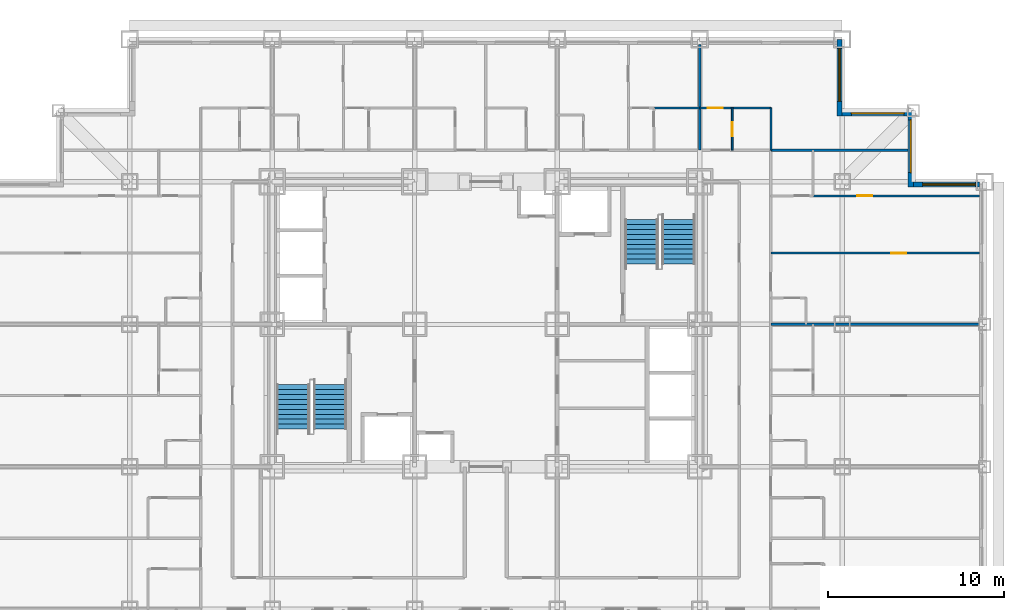
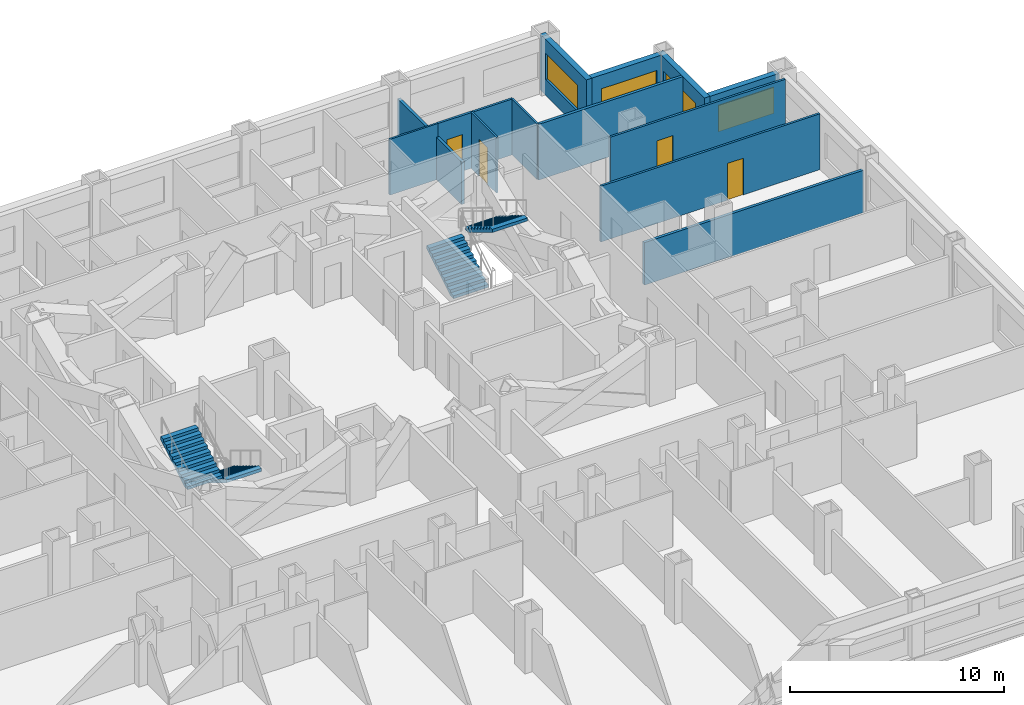
# One storey, part 10 of 11: 13 walls, 4 doors, 4 stair flights, 4 windows, 8 openings, 2 elements without a shape of their own.
"""IFC4 building model written with IfcOpenShell, lengths in metres."""

from ifc_helpers import new_model, si_unit, direction, frame, frame_2d, origin, place, context, subcontext, project, spatial, rectangle, extrude, polygons, source, transform, mapped, material, layer, layer_set, type_object, element, fill, aggregate, save


model = new_model("IFC4")

# Units and contexts
model_context = context("Model", 3, precision=1e-05, world=origin(), true_north=direction((0.0, 1.0)))
body_context = subcontext(model_context, "Body", "Model", "MODEL_VIEW")
ifc_project = project(units=[si_unit("LENGTHUNIT", "METRE"), si_unit("AREAUNIT", "SQUARE_METRE"), si_unit("VOLUMEUNIT", "CUBIC_METRE"), si_unit("PLANEANGLEUNIT", "RADIAN"), si_unit("MASSUNIT", "GRAM", prefix="KILO")], contexts=[model_context])

# Site, building, storey
site_placement = place(None, origin())
site = spatial("IfcSite", under=ifc_project, at=site_placement, CompositionType="ELEMENT")
building_placement = place(site_placement, origin())
building = spatial("IfcBuilding", under=site, at=building_placement, Name="Kopane Lantern Tower", CompositionType="ELEMENT")
storey_placement = place(building_placement, frame((0.0, 0.0, 84.0)))
storey = spatial("IfcBuildingStorey", under=building, at=storey_placement, Name="L21", CompositionType="ELEMENT", Elevation=84.0)

# Wall, opening, door
ifc_material_1 = material(Name="Gypsum board on steel studs", Category="steel")
ifc_layer_1 = layer(ifc_material_1, 0.1201171875)
ifc_layer_set_1 = layer_set([ifc_layer_1], Name="APARTMENT INTERNAL WALL 120")
wall_type_1 = type_object("IfcWallType", Name="APARTMENT INTERNAL WALL 120", PredefinedType="PARTITIONING", material=ifc_layer_set_1)
wall_1_placement = place(storey_placement, frame((44.550048828125, 36.449951171875, 0.0), z_axis=(0.0, 0.0, 1.0), x_axis=(1.0, 0.0, 0.0)))
wall_1 = element("IfcWall", 1, at=wall_1_placement, inside=storey, type_object=wall_type_1, Name="Apartment Internal Wall 120 L21", PredefinedType="PARTITIONING", context=body_context, shape_type="SweptSolid", body=[
    extrude(rectangle(XDim=11.849853515625, YDim=0.1201171875, at=frame_2d((5.9248046875, 0.0))), origin(), (0.0, 0.0, 1.0), 3.18994140625),
])
opening_1_placement = place(wall_1_placement, frame((6.85009765625, 0.0, 0.0)))
opening_1 = element("IfcOpeningElement", 2, at=opening_1_placement, cuts=wall_1, Name="Opening L21-056", PredefinedType="OPENING", context=body_context, shape_type="SweptSolid", body=[
    extrude(rectangle(XDim=0.85009765625, YDim=2.10009765625, at=frame_2d((0.425048828125, 1.050048828125))), frame((0.0, 0.070068359375, 0.0), z_axis=(0.0, -1.0, 0.0), x_axis=(1.0, 0.0, 0.0)), (0.0, 0.0, 1.0), 0.14013671875),
])
ifc_material_2 = material(Name="Timber door set", Category="wood")
door_type_1 = type_object("IfcDoorType", Name="DOOR D4 850x2100", OperationType="SINGLE_SWING_LEFT", PredefinedType="DOOR", material=ifc_material_2)
door_1_placement = place(opening_1_placement, origin())
door_1 = element("IfcDoor", 3, at=door_1_placement, inside=storey, type_object=door_type_1, Name="Door L21-056", OperationType="SINGLE_SWING_LEFT", OverallHeight=2.10009765625, OverallWidth=0.85009765625, PredefinedType="DOOR", context=body_context, shape_type="SweptSolid", body=[
    extrude(rectangle(XDim=0.85009765625, YDim=2.10009765625, at=frame_2d((0.425048828125, 1.050048828125))), frame((0.0, 0.02490234375, 0.0), z_axis=(0.0, -1.0, 0.0), x_axis=(1.0, 0.0, 0.0)), (0.0, 0.0, 1.0), 0.050048828125),
])
fill(opening_1, door_1)

wall_2_placement = place(storey_placement, frame((40.5, 44.699951171875, 0.0), z_axis=(0.0, 0.0, 1.0), x_axis=(1.0, 0.0, 0.0)))
wall_2 = element("IfcWall", 4, at=wall_2_placement, inside=storey, type_object=wall_type_1, Name="Apartment Internal Wall 120 L21", PredefinedType="PARTITIONING", context=body_context, shape_type="SweptSolid", body=[
    extrude(rectangle(XDim=4.050048828125, YDim=0.1201171875, at=frame_2d((2.02490234375, 0.0))), origin(), (0.0, 0.0, 1.0), 3.18994140625),
])
opening_2_placement = place(wall_2_placement, frame((0.47509765625, 0.0, 0.0)))
opening_2 = element("IfcOpeningElement", 5, at=opening_2_placement, cuts=wall_2, Name="Opening L21-067", PredefinedType="OPENING", context=body_context, shape_type="SweptSolid", body=[
    extrude(rectangle(XDim=0.85009765625, YDim=2.10009765625, at=frame_2d((0.425048828125, 1.050048828125))), frame((0.0, 0.070068359375, 0.0), z_axis=(0.0, -1.0, 0.0), x_axis=(1.0, 0.0, 0.0)), (0.0, 0.0, 1.0), 0.14013671875),
])
door_2_placement = place(opening_2_placement, origin())
door_2 = element("IfcDoor", 6, at=door_2_placement, inside=storey, type_object=door_type_1, Name="Door L21-067", OperationType="SINGLE_SWING_LEFT", OverallHeight=2.10009765625, OverallWidth=0.85009765625, PredefinedType="DOOR", context=body_context, shape_type="SweptSolid", body=[
    extrude(rectangle(XDim=0.85009765625, YDim=2.10009765625, at=frame_2d((0.425048828125, 1.050048828125))), frame((0.0, 0.02490234375, 0.0), z_axis=(0.0, -1.0, 0.0), x_axis=(1.0, 0.0, 0.0)), (0.0, 0.0, 1.0), 0.050048828125),
])
fill(opening_2, door_2)

wall_3_placement = place(storey_placement, frame((56.39990234375, 39.699951171875, 0.0), z_axis=(0.0, 0.0, 1.0), x_axis=(-1.0, 0.0, 0.0)))
wall_3 = element("IfcWall", 7, at=wall_3_placement, inside=storey, type_object=wall_type_1, Name="Apartment Internal Wall 120 L21", PredefinedType="PARTITIONING", context=body_context, shape_type="SweptSolid", body=[
    extrude(rectangle(XDim=9.4599609375, YDim=0.1201171875, at=frame_2d((4.72998046875, 0.0))), origin(), (0.0, 0.0, 1.0), 3.18994140625),
])
opening_3_placement = place(wall_3_placement, frame((6.0849609375, 0.0, 0.0)))
opening_3 = element("IfcOpeningElement", 8, at=opening_3_placement, cuts=wall_3, Name="Opening L21-076", PredefinedType="OPENING", context=body_context, shape_type="SweptSolid", body=[
    extrude(rectangle(XDim=0.85009765625, YDim=2.10009765625, at=frame_2d((0.425048828125, 1.050048828125))), frame((0.0, 0.070068359375, 0.0), z_axis=(0.0, -1.0, 0.0), x_axis=(1.0, 0.0, 0.0)), (0.0, 0.0, 1.0), 0.14013671875),
])
door_3_placement = place(opening_3_placement, origin())
door_3 = element("IfcDoor", 9, at=door_3_placement, inside=storey, type_object=door_type_1, Name="Door L21-076", OperationType="SINGLE_SWING_LEFT", OverallHeight=2.10009765625, OverallWidth=0.85009765625, PredefinedType="DOOR", context=body_context, shape_type="SweptSolid", body=[
    extrude(rectangle(XDim=0.85009765625, YDim=2.10009765625, at=frame_2d((0.425048828125, 1.050048828125))), frame((0.0, 0.02490234375, 0.0), z_axis=(0.0, -1.0, 0.0), x_axis=(1.0, 0.0, 0.0)), (0.0, 0.0, 1.0), 0.050048828125),
])
fill(opening_3, door_3)

# Wall
ifc_material_3 = material(Name="Moisture-resistant board on steel studs", Category="steel")
ifc_layer_2 = layer(ifc_material_3, 0.10009765625)
ifc_layer_set_2 = layer_set([ifc_layer_2], Name="BATHROOM WALL 100")
wall_type_2 = type_object("IfcWallType", Name="BATHROOM WALL 100", PredefinedType="PARTITIONING", material=ifc_layer_set_2)
wall_4_placement = place(storey_placement, frame((37.89990234375, 44.699951171875, 0.0), z_axis=(0.0, 0.0, 1.0), x_axis=(1.0, 0.0, 0.0)))
element("IfcWall", 10, at=wall_4_placement, inside=storey, type_object=wall_type_2, Name="Bathroom Wall 100 L21", PredefinedType="PARTITIONING", context=body_context, shape_type="SweptSolid", body=[
    extrude(rectangle(XDim=2.60009765625, YDim=0.10009765625, at=frame_2d((1.300048828125, 0.0))), origin(), (0.0, 0.0, 1.0), 3.18994140625),
])

# Wall, opening, door
wall_5_placement = place(storey_placement, frame((42.35009765625, 42.300048828125, 0.0), z_axis=(0.0, 0.0, 1.0), x_axis=(0.0, 1.0, 0.0)))
wall_5 = element("IfcWall", 11, at=wall_5_placement, inside=storey, type_object=wall_type_2, Name="Bathroom Wall 100 L21", PredefinedType="PARTITIONING", context=body_context, shape_type="SweptSolid", body=[
    extrude(rectangle(XDim=2.39990234375, YDim=0.10009765625, at=frame_2d((1.199951171875, 0.0))), origin(), (0.0, 0.0, 1.0), 3.18994140625),
])
opening_4_placement = place(wall_5_placement, frame((0.800048828125, 0.0, 0.0)))
opening_4 = element("IfcOpeningElement", 12, at=opening_4_placement, cuts=wall_5, Name="Opening L21-065", PredefinedType="OPENING", context=body_context, shape_type="SweptSolid", body=[
    extrude(rectangle(XDim=0.800048828125, YDim=2.10009765625, at=frame_2d((0.39990234375, 1.050048828125))), frame((0.0, 0.06005859375, 0.0), z_axis=(0.0, -1.0, 0.0), x_axis=(1.0, 0.0, 0.0)), (0.0, 0.0, 1.0), 0.1201171875),
])
ifc_material_4 = material(Name="Timber door set", Category="wood")
door_type_2 = type_object("IfcDoorType", Name="DOOR D2 800x2100", OperationType="SINGLE_SWING_LEFT", PredefinedType="DOOR", material=ifc_material_4)
door_4_placement = place(opening_4_placement, origin())
door_4 = element("IfcDoor", 13, at=door_4_placement, inside=storey, type_object=door_type_2, Name="Door L21-065", OperationType="SINGLE_SWING_RIGHT", OverallHeight=2.10009765625, OverallWidth=0.800048828125, PredefinedType="DOOR", context=body_context, shape_type="SweptSolid", body=[
    extrude(rectangle(XDim=0.800048828125, YDim=2.10009765625, at=frame_2d((0.39990234375, 1.050048828125))), frame((0.0, 0.02490234375, 0.0), z_axis=(0.0, -1.0, 0.0), x_axis=(1.0, 0.0, 0.0)), (0.0, 0.0, 1.0), 0.050048828125),
])
fill(opening_4, door_4)

# Walls
wall_6_placement = place(storey_placement, frame((44.550048828125, 42.300048828125, 0.0), z_axis=(0.0, 0.0, 1.0), x_axis=(0.0, 1.0, 0.0)))
element("IfcWall", 14, at=wall_6_placement, inside=storey, type_object=wall_type_2, Name="Bathroom Wall 100 L21", PredefinedType="PARTITIONING", context=body_context, shape_type="SweptSolid", body=[
    extrude(rectangle(XDim=2.39990234375, YDim=0.10009765625, at=frame_2d((1.199951171875, 0.0))), origin(), (0.0, 0.0, 1.0), 3.18994140625),
])
ifc_material_5 = material(Name="Gypsum board on steel studs", Category="steel")
ifc_layer_3 = layer(ifc_material_5, 0.14990234375)
ifc_layer_set_3 = layer_set([ifc_layer_3], Name="DEMISING WALL 150 EI 60")
wall_type_3 = type_object("IfcWallType", Name="DEMISING WALL 150 EI 60", PredefinedType="PARTITIONING", material=ifc_layer_set_3)
wall_7_placement = place(storey_placement, frame((44.550048828125, 32.39990234375, 0.0), z_axis=(0.0, 0.0, 1.0), x_axis=(1.0, 0.0, 0.0)))
element("IfcWall", 15, at=wall_7_placement, inside=storey, type_object=wall_type_3, Name="Demising Wall 150 Ei 60 L21", PredefinedType="PARTITIONING", context=body_context, shape_type="SweptSolid", body=[
    extrude(rectangle(XDim=11.849853515625, YDim=0.14990234375, at=frame_2d((5.9248046875, 0.0))), origin(), (0.0, 0.0, 1.0), 2.427734375),
])
wall_8_placement = place(storey_placement, frame((44.550048828125, 42.300048828125, 0.0), z_axis=(0.0, 0.0, 1.0), x_axis=(1.0, 0.0, 0.0)))
element("IfcWall", 16, at=wall_8_placement, inside=storey, type_object=wall_type_3, Name="Demising Wall 150 Ei 60 L21", PredefinedType="PARTITIONING", context=body_context, shape_type="SweptSolid", body=[
    extrude(rectangle(XDim=7.800048828125, YDim=0.14990234375, at=frame_2d((3.89990234375, 0.0))), origin(), (0.0, 0.0, 1.0), 3.18994140625),
])
wall_9_placement = place(storey_placement, frame((40.5, 42.300048828125, 0.0), z_axis=(0.0, 0.0, 1.0), x_axis=(0.0, 1.0, 0.0)))
element("IfcWall", 17, at=wall_9_placement, inside=storey, type_object=wall_type_3, Name="Demising Wall 150 Ei 60 L21", PredefinedType="PARTITIONING", context=body_context, shape_type="SweptSolid", body=[
    extrude(rectangle(XDim=6.0, YDim=0.14990234375, at=frame_2d((3.0, 0.0))), origin(), (0.0, 0.0, 1.0), 2.427734375),
])

# Wall, opening, window
ifc_material_6 = material(Name="Terracotta rainscreen on light steel framing", Category="masonry")
ifc_layer_4 = layer(ifc_material_6, 0.300048828125)
ifc_layer_set_4 = layer_set([ifc_layer_4], Name="EXTERNAL WALL EW1 300 TERRACOTTA")
wall_type_4 = type_object("IfcWallType", Name="EXTERNAL WALL EW1 300 TERRACOTTA", PredefinedType="SOLIDWALL", material=ifc_layer_set_4)
wall_10_placement = place(storey_placement, frame((56.39990234375, 40.35009765625, 0.0), z_axis=(0.0, 0.0, 1.0), x_axis=(-1.0, 0.0, 0.0)))
wall_10 = element("IfcWall", 18, at=wall_10_placement, inside=storey, type_object=wall_type_4, Name="External wall N L21", PredefinedType="SOLIDWALL", context=body_context, shape_type="SweptSolid", body=[
    extrude(rectangle(XDim=3.75, YDim=0.300048828125, at=frame_2d((1.875, 0.0))), origin(), (0.0, 0.0, 1.0), 3.18994140625),
])
opening_5_placement = place(wall_10_placement, frame((0.22509765625, 0.0, 0.89990234375)))
opening_5 = element("IfcOpeningElement", 19, at=opening_5_placement, cuts=wall_10, Name="Opening WR300150", PredefinedType="OPENING", context=body_context, shape_type="SweptSolid", body=[
    extrude(rectangle(XDim=3.0, YDim=1.5, at=frame_2d((1.5, 0.75))), frame((0.0, 0.159912109375, 0.0), z_axis=(0.0, -1.0, 0.0), x_axis=(1.0, 0.0, 0.0)), (0.0, 0.0, 1.0), 0.320068359375),
])
ifc_material_7 = material(Name="Aluminium and clear glass", Category="aluminium")
window_type = type_object("IfcWindowType", Name="RIBBON WINDOW WR300150 3000x1500", PartitioningType="SINGLE_PANEL", PredefinedType="WINDOW", material=ifc_material_7)
window_1_placement = place(opening_5_placement, origin())
window_1 = element("IfcWindow", 20, at=window_1_placement, inside=storey, type_object=window_type, Name="Window N L21", OverallHeight=1.5, OverallWidth=3.0, PartitioningType="SINGLE_PANEL", PredefinedType="WINDOW", context=body_context, shape_type="SweptSolid", body=[
    extrude(rectangle(XDim=3.0, YDim=1.5, at=frame_2d((1.5, 0.75))), frame((0.0, 0.030029296875, 0.0), z_axis=(0.0, -1.0, 0.0), x_axis=(1.0, 0.0, 0.0)), (0.0, 0.0, 1.0), 0.06005859375),
])
fill(opening_5, window_1)

wall_11_placement = place(storey_placement, frame((52.5, 40.199951171875, 0.0), z_axis=(0.0, 0.0, 1.0), x_axis=(0.0, 1.0, 0.0)))
wall_11 = element("IfcWall", 21, at=wall_11_placement, inside=storey, type_object=wall_type_4, Name="External wall E L21", PredefinedType="SOLIDWALL", context=body_context, shape_type="SweptSolid", body=[
    extrude(rectangle(XDim=4.35009765625, YDim=0.300048828125, at=frame_2d((2.175048828125, 0.0))), origin(), (0.0, 0.0, 1.0), 3.18994140625),
])
opening_6_placement = place(wall_11_placement, frame((0.824951171875, 0.0, 0.89990234375)))
opening_6 = element("IfcOpeningElement", 22, at=opening_6_placement, cuts=wall_11, Name="Opening WR300150", PredefinedType="OPENING", context=body_context, shape_type="SweptSolid", body=[
    extrude(rectangle(XDim=3.0, YDim=1.5, at=frame_2d((1.5, 0.75))), frame((0.0, 0.159912109375, 0.0), z_axis=(0.0, -1.0, 0.0), x_axis=(1.0, 0.0, 0.0)), (0.0, 0.0, 1.0), 0.320068359375),
])
window_2_placement = place(opening_6_placement, origin())
window_2 = element("IfcWindow", 23, at=window_2_placement, inside=storey, type_object=window_type, Name="Window E L21", OverallHeight=1.5, OverallWidth=3.0, PartitioningType="SINGLE_PANEL", PredefinedType="WINDOW", context=body_context, shape_type="SweptSolid", body=[
    extrude(rectangle(XDim=3.0, YDim=1.5, at=frame_2d((1.5, 0.75))), frame((0.0, 0.030029296875, 0.0), z_axis=(0.0, -1.0, 0.0), x_axis=(1.0, 0.0, 0.0)), (0.0, 0.0, 1.0), 0.06005859375),
])
fill(opening_6, window_2)

wall_12_placement = place(storey_placement, frame((52.35009765625, 44.39990234375, 0.0), z_axis=(0.0, 0.0, 1.0), x_axis=(-1.0, 0.0, 0.0)))
wall_12 = element("IfcWall", 24, at=wall_12_placement, inside=storey, type_object=wall_type_4, Name="External wall N L21", PredefinedType="SOLIDWALL", context=body_context, shape_type="SweptSolid", body=[
    extrude(rectangle(XDim=3.75, YDim=0.300048828125, at=frame_2d((1.875, 0.0))), origin(), (0.0, 0.0, 1.0), 3.18994140625),
])
opening_7_placement = place(wall_12_placement, frame((0.22509765625, 0.0, 0.89990234375)))
opening_7 = element("IfcOpeningElement", 25, at=opening_7_placement, cuts=wall_12, Name="Opening WR300150", PredefinedType="OPENING", context=body_context, shape_type="SweptSolid", body=[
    extrude(rectangle(XDim=3.0, YDim=1.5, at=frame_2d((1.5, 0.75))), frame((0.0, 0.159912109375, 0.0), z_axis=(0.0, -1.0, 0.0), x_axis=(1.0, 0.0, 0.0)), (0.0, 0.0, 1.0), 0.320068359375),
])
window_3_placement = place(opening_7_placement, origin())
window_3 = element("IfcWindow", 26, at=window_3_placement, inside=storey, type_object=window_type, Name="Window N L21", OverallHeight=1.5, OverallWidth=3.0, PartitioningType="SINGLE_PANEL", PredefinedType="WINDOW", context=body_context, shape_type="SweptSolid", body=[
    extrude(rectangle(XDim=3.0, YDim=1.5, at=frame_2d((1.5, 0.75))), frame((0.0, 0.030029296875, 0.0), z_axis=(0.0, -1.0, 0.0), x_axis=(1.0, 0.0, 0.0)), (0.0, 0.0, 1.0), 0.06005859375),
])
fill(opening_7, window_3)

wall_13_placement = place(storey_placement, frame((48.449951171875, 44.25, 0.0), z_axis=(0.0, 0.0, 1.0), x_axis=(0.0, 1.0, 0.0)))
wall_13 = element("IfcWall", 27, at=wall_13_placement, inside=storey, type_object=wall_type_4, Name="External wall E L21", PredefinedType="SOLIDWALL", context=body_context, shape_type="SweptSolid", body=[
    extrude(rectangle(XDim=4.35009765625, YDim=0.300048828125, at=frame_2d((2.175048828125, 0.0))), origin(), (0.0, 0.0, 1.0), 3.18994140625),
])
opening_8_placement = place(wall_13_placement, frame((0.824951171875, 0.0, 0.89990234375)))
opening_8 = element("IfcOpeningElement", 28, at=opening_8_placement, cuts=wall_13, Name="Opening WR300150", PredefinedType="OPENING", context=body_context, shape_type="SweptSolid", body=[
    extrude(rectangle(XDim=3.0, YDim=1.5, at=frame_2d((1.5, 0.75))), frame((0.0, 0.159912109375, 0.0), z_axis=(0.0, -1.0, 0.0), x_axis=(1.0, 0.0, 0.0)), (0.0, 0.0, 1.0), 0.320068359375),
])
window_4_placement = place(opening_8_placement, origin())
window_4 = element("IfcWindow", 29, at=window_4_placement, inside=storey, type_object=window_type, Name="Window E L21", OverallHeight=1.5, OverallWidth=3.0, PartitioningType="SINGLE_PANEL", PredefinedType="WINDOW", context=body_context, shape_type="SweptSolid", body=[
    extrude(rectangle(XDim=3.0, YDim=1.5, at=frame_2d((1.5, 0.75))), frame((0.0, 0.030029296875, 0.0), z_axis=(0.0, -1.0, 0.0), x_axis=(1.0, 0.0, 0.0)), (0.0, 0.0, 1.0), 0.06005859375),
])
fill(opening_8, window_4)

# Stair, stair flights
ifc_material_8 = material(Name="Steel S355JR", Category="steel")
stair_type = type_object("IfcStairType", Name="EXIT STAIR 1900 HALF TURN", PredefinedType="HALF_TURN_STAIR", material=ifc_material_8)
stair_1_placement = place(storey_placement, origin())
stair_1 = element("IfcStair", 30, at=stair_1_placement, inside=storey, type_object=stair_type, Name="Exit stair ST1 L21", PredefinedType="HALF_TURN_STAIR")
ifc_material_9 = material(Name="Steel S355JR", Category="steel")
stair_flight_type = type_object("IfcStairFlightType", Name="STAIR FLIGHT 1900 STEEL", PredefinedType="STRAIGHT", material=ifc_material_9)
shared_shape = source(origin(), body_context, "Body", "Tessellation", [
    polygons([(2.520019531, 0.949951172, 1.530029297), (2.239990234, 0.949951172, 1.530029297), (2.239990234, -0.949951172, 1.530029297), (2.520019531, -0.949951172, 1.530029297), (0.288818359, 0.949951172, 0.0), (2.520019531, 0.949951172, 1.354736328), (2.520019531, -0.949951172, 1.354736328), (0.288818359, -0.949951172, 0.0), (0.0, 0.949951172, 0.0), (0.0, -0.949951172, 0.0), (0.280029297, 0.949951172, 0.169921875), (0.0, 0.949951172, 0.169921875), (0.0, -0.949951172, 0.169921875), (0.280029297, -0.949951172, 0.169921875), (0.280029297, 0.949951172, 0.340087891), (0.280029297, -0.949951172, 0.340087891), (0.560058594, 0.949951172, 0.340087891), (0.560058594, -0.949951172, 0.340087891), (0.560058594, 0.949951172, 0.510009766), (0.560058594, -0.949951172, 0.510009766), (0.840087891, 0.949951172, 0.510009766), (0.840087891, -0.949951172, 0.510009766), (0.840087891, 0.949951172, 0.679931641), (0.840087891, -0.949951172, 0.679931641), (1.120117188, 0.949951172, 0.679931641), (1.120117188, -0.949951172, 0.679931641), (1.120117188, 0.949951172, 0.850097656), (1.120117188, -0.949951172, 0.850097656), (1.399902344, 0.949951172, 0.850097656), (1.399902344, -0.949951172, 0.850097656), (1.399902344, 0.949951172, 1.020019531), (1.399902344, -0.949951172, 1.020019531), (1.679931641, 0.949951172, 1.020019531), (1.679931641, -0.949951172, 1.020019531), (1.679931641, 0.949951172, 1.189941406), (1.679931641, -0.949951172, 1.189941406), (1.959960938, 0.949951172, 1.189941406), (1.959960938, -0.949951172, 1.189941406), (1.959960938, 0.949951172, 1.360107422), (1.959960938, -0.949951172, 1.360107422), (2.239990234, 0.949951172, 1.360107422), (2.239990234, -0.949951172, 1.360107422), (0.0, 0.0, 0.004592483), (0.0, 0.0, 0.009184966), (0.0, 0.0, 0.013777449), (0.0, 0.0, 0.018369932), (0.0, 0.0, 0.022962416), (0.0, 0.0, 0.027554899), (0.0, 0.0, 0.032147382), (0.0, 0.0, 0.036739865), (0.0, 0.0, 0.041332348), (0.0, 0.0, 0.045924831), (0.0, 0.0, 0.050517314), (0.0, 0.0, 0.055109797), (0.0, 0.0, 0.05970228), (0.0, 0.0, 0.064294764), (0.0, 0.0, 0.068887247), (0.0, 0.0, 0.07347973), (0.0, 0.0, 0.078072213), (0.0, 0.0, 0.082664696), (0.0, 0.0, 0.087257179), (0.0, 0.0, 0.091849662), (0.0, 0.0, 0.096442145), (0.0, 0.0, 0.101034628), (0.0, 0.0, 0.105627111), (0.0, 0.0, 0.110219595), (0.0, 0.0, 0.114812078), (0.0, 0.0, 0.119404561), (0.0, 0.0, 0.123997044), (0.0, 0.0, 0.128589527), (0.0, 0.0, 0.13318201), (0.0, 0.0, 0.137774493), (0.0, 0.0, 0.142366976), (0.0, 0.0, 0.146959459), (0.0, 0.0, 0.151551943), (0.0, 0.0, 0.156144426), (0.0, 0.0, 0.160736909), (0.0, 0.0, 0.165329392), (2.520019531, 0.0, 1.359473976), (2.520019531, 0.0, 1.364211624), (2.520019531, 0.0, 1.368949272), (2.520019531, 0.0, 1.373686919), (2.520019531, 0.0, 1.378424567), (2.520019531, 0.0, 1.383162215), (2.520019531, 0.0, 1.387899863), (2.520019531, 0.0, 1.392637511), (2.520019531, 0.0, 1.397375158), (2.520019531, 0.0, 1.402112806), (2.520019531, 0.0, 1.406850454), (2.520019531, 0.0, 1.411588102), (2.520019531, 0.0, 1.41632575), (2.520019531, 0.0, 1.421063397), (2.520019531, 0.0, 1.425801045), (2.520019531, 0.0, 1.430538693), (2.520019531, 0.0, 1.435276341), (2.520019531, 0.0, 1.440013989), (2.520019531, 0.0, 1.444751636), (2.520019531, 0.0, 1.449489284), (2.520019531, 0.0, 1.454226932), (2.520019531, 0.0, 1.45896458), (2.520019531, 0.0, 1.463702228), (2.520019531, 0.0, 1.468439875), (2.520019531, 0.0, 1.473177523), (2.520019531, 0.0, 1.477915171), (2.520019531, 0.0, 1.482652819), (2.520019531, 0.0, 1.487390467), (2.520019531, 0.0, 1.492128114), (2.520019531, 0.0, 1.496865762), (2.520019531, 0.0, 1.50160341), (2.520019531, 0.0, 1.506341058), (2.520019531, 0.0, 1.511078706), (2.520019531, 0.0, 1.515816353), (2.520019531, 0.0, 1.520554001), (2.520019531, 0.0, 1.525291649)], [[[1, 2, 3]], [[1, 3, 4]], [[5, 6, 7]], [[5, 7, 8]], [[9, 5, 8]], [[9, 8, 10]], [[11, 12, 13]], [[11, 13, 14]], [[15, 11, 14]], [[15, 14, 16]], [[17, 15, 16]], [[17, 16, 18]], [[19, 17, 18]], [[19, 18, 20]], [[21, 19, 20]], [[21, 20, 22]], [[23, 21, 22]], [[23, 22, 24]], [[25, 23, 24]], [[25, 24, 26]], [[27, 25, 26]], [[27, 26, 28]], [[29, 27, 28]], [[29, 28, 30]], [[31, 29, 30]], [[31, 30, 32]], [[33, 31, 32]], [[33, 32, 34]], [[35, 33, 34]], [[35, 34, 36]], [[37, 35, 36]], [[37, 36, 38]], [[39, 37, 38]], [[39, 38, 40]], [[41, 39, 40]], [[41, 40, 42]], [[2, 41, 42]], [[2, 42, 3]], [[41, 1, 6]], [[37, 41, 6]], [[2, 1, 41]], [[33, 37, 6]], [[39, 41, 37]], [[35, 37, 33]], [[31, 33, 29]], [[5, 21, 25]], [[27, 29, 25]], [[17, 21, 5]], [[23, 25, 21]], [[11, 17, 5]], [[19, 21, 17]], [[9, 11, 5]], [[15, 17, 11]], [[12, 11, 9]], [[6, 5, 25]], [[6, 25, 29]], [[6, 29, 33]], [[7, 4, 42]], [[7, 42, 38]], [[42, 4, 3]], [[7, 38, 34]], [[38, 42, 40]], [[34, 38, 36]], [[30, 34, 32]], [[26, 22, 8]], [[26, 30, 28]], [[8, 22, 18]], [[22, 26, 24]], [[8, 18, 14]], [[18, 22, 20]], [[8, 14, 10]], [[14, 18, 16]], [[10, 14, 13]], [[26, 8, 7]], [[30, 26, 7]], [[34, 30, 7]], [[10, 43, 9]], [[10, 44, 43]], [[9, 43, 44]], [[10, 45, 44]], [[9, 44, 45]], [[10, 46, 45]], [[9, 45, 46]], [[10, 47, 46]], [[9, 46, 47]], [[10, 48, 47]], [[9, 47, 48]], [[10, 49, 48]], [[9, 48, 49]], [[10, 50, 49]], [[9, 49, 50]], [[10, 51, 50]], [[9, 50, 51]], [[10, 52, 51]], [[9, 51, 52]], [[10, 53, 52]], [[9, 52, 53]], [[10, 54, 53]], [[9, 53, 54]], [[10, 55, 54]], [[9, 54, 55]], [[10, 56, 55]], [[9, 55, 56]], [[10, 57, 56]], [[9, 56, 57]], [[10, 58, 57]], [[9, 57, 58]], [[10, 59, 58]], [[9, 58, 59]], [[10, 60, 59]], [[9, 59, 60]], [[10, 61, 60]], [[9, 60, 61]], [[10, 62, 61]], [[9, 61, 62]], [[10, 63, 62]], [[9, 62, 63]], [[10, 64, 63]], [[9, 63, 64]], [[10, 65, 64]], [[9, 64, 65]], [[10, 66, 65]], [[9, 65, 66]], [[10, 67, 66]], [[9, 66, 67]], [[10, 68, 67]], [[9, 67, 68]], [[10, 69, 68]], [[9, 68, 69]], [[10, 70, 69]], [[9, 69, 70]], [[10, 71, 70]], [[9, 70, 71]], [[10, 72, 71]], [[9, 71, 72]], [[10, 73, 72]], [[9, 72, 73]], [[10, 74, 73]], [[9, 73, 74]], [[10, 75, 74]], [[9, 74, 75]], [[10, 76, 75]], [[9, 75, 76]], [[10, 77, 76]], [[9, 76, 77]], [[10, 78, 77]], [[9, 77, 78]], [[10, 13, 78]], [[78, 13, 12]], [[9, 78, 12]], [[7, 6, 79]], [[7, 79, 80]], [[6, 80, 79]], [[7, 80, 81]], [[6, 81, 80]], [[7, 81, 82]], [[6, 82, 81]], [[7, 82, 83]], [[6, 83, 82]], [[7, 83, 84]], [[6, 84, 83]], [[7, 84, 85]], [[6, 85, 84]], [[7, 85, 86]], [[6, 86, 85]], [[7, 86, 87]], [[6, 87, 86]], [[7, 87, 88]], [[6, 88, 87]], [[7, 88, 89]], [[6, 89, 88]], [[7, 89, 90]], [[6, 90, 89]], [[7, 90, 91]], [[6, 91, 90]], [[7, 91, 92]], [[6, 92, 91]], [[7, 92, 93]], [[6, 93, 92]], [[7, 93, 94]], [[6, 94, 93]], [[7, 94, 95]], [[6, 95, 94]], [[7, 95, 96]], [[6, 96, 95]], [[7, 96, 97]], [[6, 97, 96]], [[7, 97, 98]], [[6, 98, 97]], [[7, 98, 99]], [[6, 99, 98]], [[7, 99, 100]], [[6, 100, 99]], [[7, 100, 101]], [[6, 101, 100]], [[7, 101, 102]], [[6, 102, 101]], [[7, 102, 103]], [[6, 103, 102]], [[7, 103, 104]], [[6, 104, 103]], [[7, 104, 105]], [[6, 105, 104]], [[7, 105, 106]], [[6, 106, 105]], [[7, 106, 107]], [[6, 107, 106]], [[7, 107, 108]], [[6, 108, 107]], [[7, 108, 109]], [[6, 109, 108]], [[7, 109, 110]], [[6, 110, 109]], [[7, 110, 111]], [[6, 111, 110]], [[7, 111, 112]], [[6, 112, 111]], [[7, 112, 113]], [[6, 113, 112]], [[7, 113, 114]], [[6, 114, 113]], [[7, 114, 4]], [[114, 1, 4]], [[6, 1, 114]]], closed=True),
])
stair_flight_1_placement = place(storey_placement, frame((19.5, 28.969970703125, 0.0), z_axis=(0.0, 0.0, 1.0), x_axis=(0.0, -1.0, 0.0)))
stair_flight_1 = element("IfcStairFlight", 31, at=stair_flight_1_placement, type_object=stair_flight_type, Name="ST1 flight 1", NumberOfRisers=10, NumberOfTreads=9, PredefinedType="STRAIGHT", RiserHeight=0.17, TreadLength=0.28, context=body_context, shape_type="MappedRepresentation", body=[
    mapped(shared_shape, transform((0.0, 0.0, 0.0))),
])
stair_flight_2_placement = place(storey_placement, frame((17.39990234375, 26.449951171875, 1.699951171875), z_axis=(0.0, 0.0, 1.0), x_axis=(0.0, 1.0, 0.0)))
stair_flight_2 = element("IfcStairFlight", 32, at=stair_flight_2_placement, type_object=stair_flight_type, Name="ST1 flight 2", NumberOfRisers=10, NumberOfTreads=9, PredefinedType="STRAIGHT", RiserHeight=0.17, TreadLength=0.28, context=body_context, shape_type="MappedRepresentation", body=[
    mapped(shared_shape, transform((0.0, 0.0, 0.0))),
])
aggregate(stair_1, [stair_flight_1, stair_flight_2])

stair_2_placement = place(storey_placement, origin())
stair_2 = element("IfcStair", 33, at=stair_2_placement, inside=storey, type_object=stair_type, Name="Exit stair ST2 L21", PredefinedType="HALF_TURN_STAIR")
stair_flight_3_placement = place(storey_placement, frame((37.199951171875, 35.830078125, 0.0), z_axis=(0.0, 0.0, 1.0), x_axis=(0.0, 1.0, 0.0)))
stair_flight_3 = element("IfcStairFlight", 34, at=stair_flight_3_placement, type_object=stair_flight_type, Name="ST2 flight 1", NumberOfRisers=10, NumberOfTreads=9, PredefinedType="STRAIGHT", RiserHeight=0.17, TreadLength=0.28, context=body_context, shape_type="MappedRepresentation", body=[
    mapped(shared_shape, transform((0.0, 0.0, 0.0))),
])
stair_flight_4_placement = place(storey_placement, frame((39.300048828125, 38.35009765625, 1.699951171875), z_axis=(0.0, 0.0, 1.0), x_axis=(0.0, -1.0, 0.0)))
stair_flight_4 = element("IfcStairFlight", 35, at=stair_flight_4_placement, type_object=stair_flight_type, Name="ST2 flight 2", NumberOfRisers=10, NumberOfTreads=9, PredefinedType="STRAIGHT", RiserHeight=0.17, TreadLength=0.28, context=body_context, shape_type="MappedRepresentation", body=[
    mapped(shared_shape, transform((0.0, 0.0, 0.0))),
])
aggregate(stair_2, [stair_flight_3, stair_flight_4])

save(model, "model.ifc")
